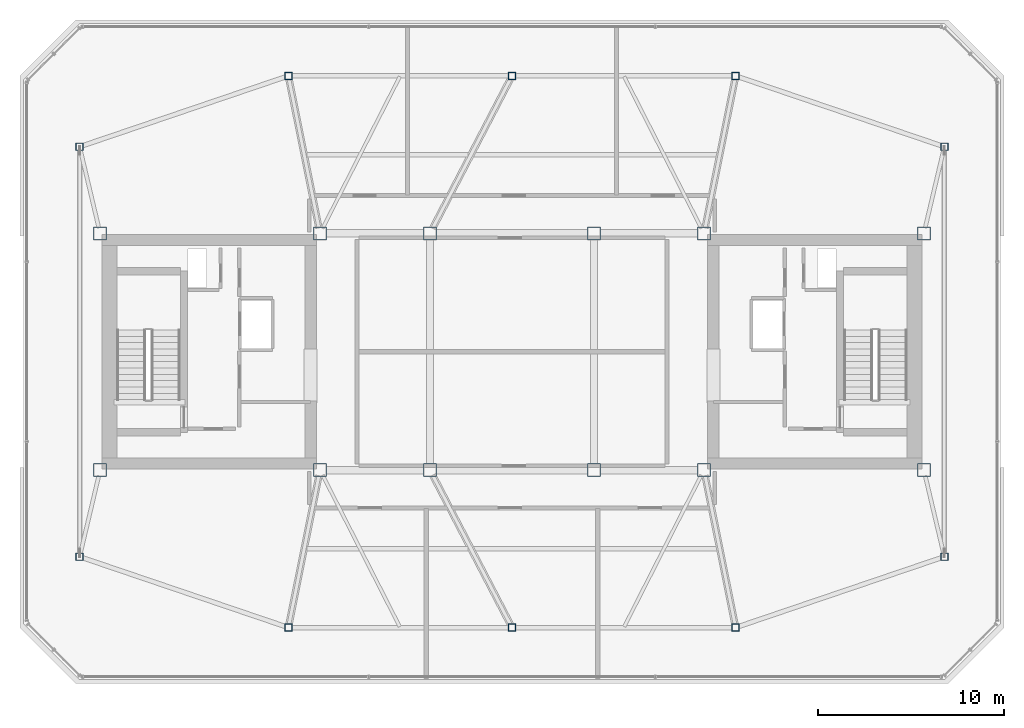
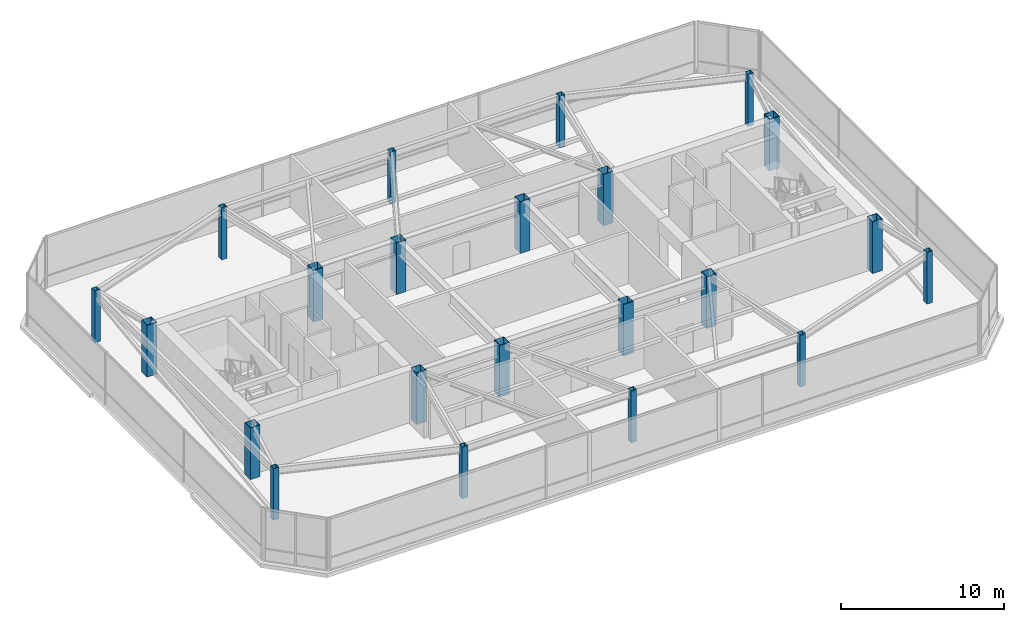
# One storey, part 1 of 22: 22 columns.
"""IFC4 building model written with IfcOpenShell, lengths in metres."""

from ifc_helpers import new_model, si_unit, direction, frame, origin, origin_2d, place, context, subcontext, project, spatial, hollow_rectangle, extrude, material, material_profile, profile_set, type_object, element, save


model = new_model("IFC4")

# Units and contexts
model_context = context("Model", 3, precision=1e-05, world=origin(), true_north=direction((0.0, 1.0)))
body_context = subcontext(model_context, "Body", "Model", "MODEL_VIEW")
ifc_project = project(units=[si_unit("LENGTHUNIT", "METRE"), si_unit("AREAUNIT", "SQUARE_METRE"), si_unit("VOLUMEUNIT", "CUBIC_METRE"), si_unit("PLANEANGLEUNIT", "RADIAN"), si_unit("MASSUNIT", "GRAM", prefix="KILO")], contexts=[model_context])

# Site, building, storey
site_placement = place(None, origin())
site = spatial("IfcSite", under=ifc_project, at=site_placement, CompositionType="ELEMENT")
building_placement = place(site_placement, origin())
building = spatial("IfcBuilding", under=site, at=building_placement, Name="Tavrogorsk Clinical Tower", CompositionType="ELEMENT")
storey_placement = place(building_placement, frame((0.0, 0.0, 352.800048828125)))
storey = spatial("IfcBuildingStorey", under=building, at=storey_placement, Name="L82", CompositionType="ELEMENT", Elevation=352.800048828125)

# Columns
ifc_material_1 = material(Name="Structural steel S390", Category="steel")
ifc_material_profile_1 = material_profile(ifc_material_1, hollow_rectangle(XDim=0.39990234375, YDim=0.39990234375, WallThickness=0.02001953125, at=origin_2d()), Name="SHS-400x400x20")
ifc_profile_set_1 = profile_set([ifc_material_profile_1], Name="Structural steel S390")
column_type_1 = type_object("IfcColumnType", Name="CrownCol_SHS400", PredefinedType="COLUMN", material=ifc_profile_set_1)
for number, where, z_axis, x_axis, name in (
    (1, (-23.199951171875, -11.0, 0.0), (0.0, 0.0, 1.0), (1.0, 0.0, 0.0), "L82 Crown Column CRN-01"),
    (2, (23.199951171875, -11.0, 0.0), (0.0, 0.0, 1.0), (1.0, 0.0, 0.0), "L82 Crown Column CRN-02"),
    (3, (23.199951171875, 11.0, 0.0), (0.0, 0.0, 1.0), (1.0, 0.0, 0.0), "L82 Crown Column CRN-03"),
    (4, (-23.199951171875, 11.0, 0.0), (0.0, 0.0, 1.0), (1.0, 0.0, 0.0), "L82 Crown Column CRN-04"),
    (5, (-12.0, -14.800048828125, 0.0), (0.0, 0.0, 1.0), (1.0, 0.0, 0.0), "L82 Crown Column CRN-05"),
    (6, (0.0, -14.800048828125, 0.0), (0.0, 0.0, 1.0), (1.0, 0.0, 0.0), "L82 Crown Column CRN-06"),
    (7, (12.0, -14.800048828125, 0.0), (0.0, 0.0, 1.0), (1.0, 0.0, 0.0), "L82 Crown Column CRN-07"),
    (8, (-12.0, 14.800048828125, 0.0), (0.0, 0.0, 1.0), (1.0, 0.0, 0.0), "L82 Crown Column CRN-08"),
    (9, (0.0, 14.800048828125, 0.0), (0.0, 0.0, 1.0), (1.0, 0.0, 0.0), "L82 Crown Column CRN-09"),
    (10, (12.0, 14.800048828125, 0.0), (0.0, 0.0, 1.0), (1.0, 0.0, 0.0), "L82 Crown Column CRN-10"),
):
    element("IfcColumn", number, at=place(storey_placement, frame(where, z_axis=z_axis, x_axis=x_axis)), inside=storey, type_object=column_type_1, Name=name, PredefinedType="COLUMN", context=body_context, shape_type="SweptSolid", body=[
        extrude(hollow_rectangle(XDim=0.39990234375, YDim=0.39990234375, WallThickness=0.02001953125, at=origin_2d()), origin(), (0.0, 0.0, 1.0), 3.8798828125),
    ])
ifc_material_2 = material(Name="Structural steel S440", Category="steel")
ifc_material_profile_2 = material_profile(ifc_material_2, hollow_rectangle(XDim=0.699951171875, YDim=0.699951171875, WallThickness=0.031982421875, at=origin_2d()), Name="BOX-700x700x32")
ifc_profile_set_2 = profile_set([ifc_material_profile_2], Name="Structural steel S440")
column_type_2 = type_object("IfcColumnType", Name="MegaCol_BOX700", PredefinedType="COLUMN", material=ifc_profile_set_2)
for number, where, z_axis, x_axis, name in (
    (11, (-22.10009765625, -6.35009765625, 0.0), (0.0, 0.0, 1.0), (1.0, 0.0, 0.0), "L82 Mega Column MC-W1"),
    (12, (-22.10009765625, 6.35009765625, 0.0), (0.0, 0.0, 1.0), (1.0, 0.0, 0.0), "L82 Mega Column MC-W2"),
    (13, (-10.300048828125, -6.35009765625, 0.0), (0.0, 0.0, 1.0), (1.0, 0.0, 0.0), "L82 Mega Column MC-W3"),
    (14, (-10.300048828125, 6.35009765625, 0.0), (0.0, 0.0, 1.0), (1.0, 0.0, 0.0), "L82 Mega Column MC-W4"),
    (15, (10.300048828125, -6.35009765625, 0.0), (0.0, 0.0, 1.0), (1.0, 0.0, 0.0), "L82 Mega Column MC-E1"),
    (16, (10.300048828125, 6.35009765625, 0.0), (0.0, 0.0, 1.0), (1.0, 0.0, 0.0), "L82 Mega Column MC-E2"),
    (17, (22.10009765625, -6.35009765625, 0.0), (0.0, 0.0, 1.0), (1.0, 0.0, 0.0), "L82 Mega Column MC-E3"),
    (18, (22.10009765625, 6.35009765625, 0.0), (0.0, 0.0, 1.0), (1.0, 0.0, 0.0), "L82 Mega Column MC-E4"),
    (19, (-4.39990234375, -6.35009765625, 0.0), (0.0, 0.0, 1.0), (1.0, 0.0, 0.0), "L82 Mega Column MC-C1"),
    (20, (4.39990234375, -6.35009765625, 0.0), (0.0, 0.0, 1.0), (1.0, 0.0, 0.0), "L82 Mega Column MC-C2"),
    (21, (-4.39990234375, 6.35009765625, 0.0), (0.0, 0.0, 1.0), (1.0, 0.0, 0.0), "L82 Mega Column MC-C3"),
    (22, (4.39990234375, 6.35009765625, 0.0), (0.0, 0.0, 1.0), (1.0, 0.0, 0.0), "L82 Mega Column MC-C4"),
):
    element("IfcColumn", number, at=place(storey_placement, frame(where, z_axis=z_axis, x_axis=x_axis)), inside=storey, type_object=column_type_2, Name=name, PredefinedType="COLUMN", context=body_context, shape_type="SweptSolid", body=[
        extrude(hollow_rectangle(XDim=0.699951171875, YDim=0.699951171875, WallThickness=0.031982421875, at=origin_2d()), origin(), (0.0, 0.0, 1.0), 3.8798828125),
    ])

save(model, "model.ifc")
